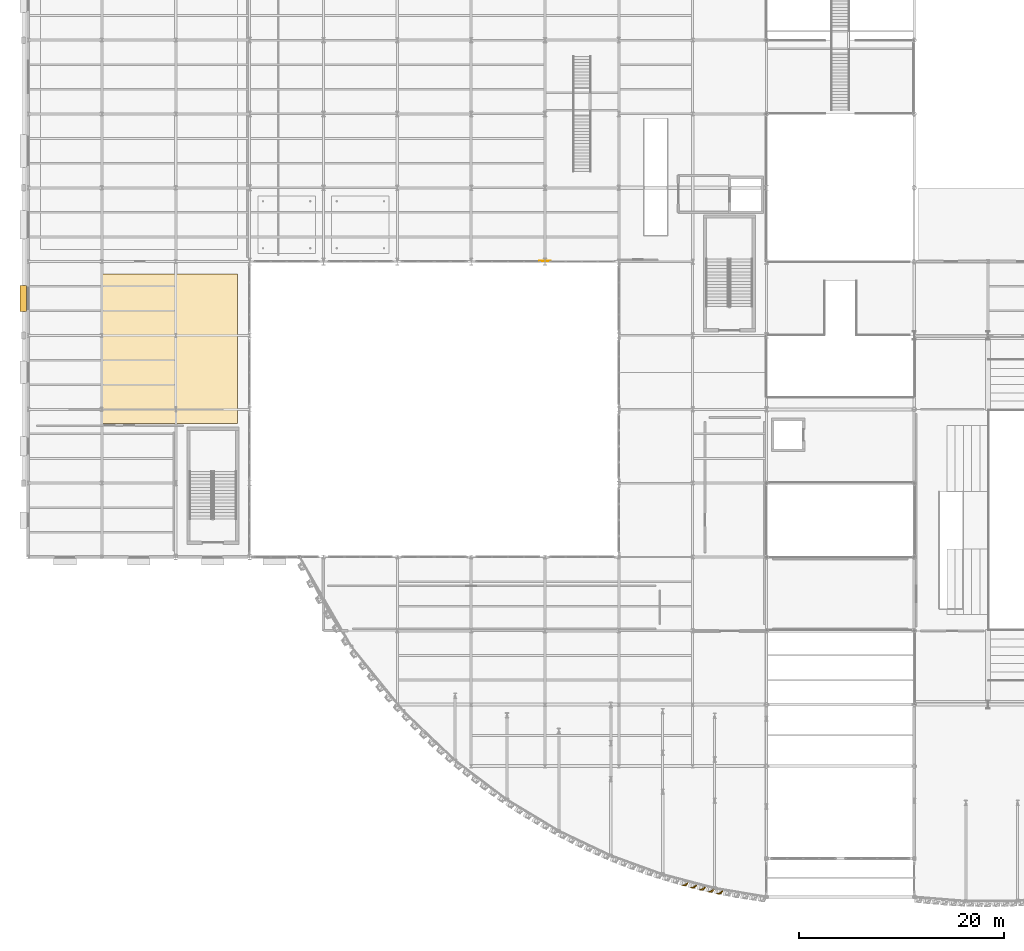
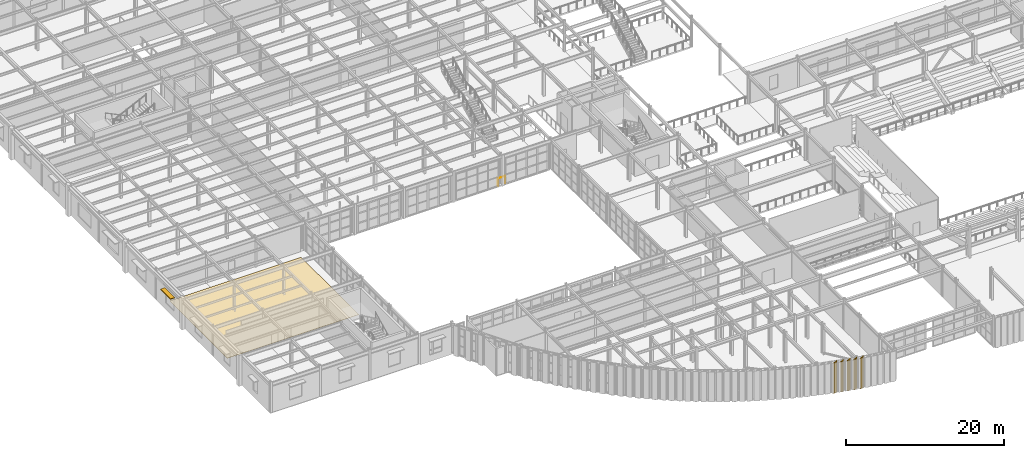
# One storey, part 109 of 121: 6 coverings, 1 railing, 1 shading device.
"""IFC4 building model written with IfcOpenShell, lengths in metres."""

from ifc_helpers import new_model, si_unit, direction, frame, origin, origin_2d, place, context, subcontext, project, spatial, polyline, rectangle, circle, outline, extrude, material, layer, layer_set, type_object, element, save


model = new_model("IFC4")

# Units and contexts
model_context = context("Model", 3, precision=1e-05, world=origin(), true_north=direction((0.0, 1.0)))
body_context = subcontext(model_context, "Body", "Model", "MODEL_VIEW")
ifc_project = project(units=[si_unit("LENGTHUNIT", "METRE"), si_unit("AREAUNIT", "SQUARE_METRE"), si_unit("VOLUMEUNIT", "CUBIC_METRE"), si_unit("PLANEANGLEUNIT", "RADIAN"), si_unit("MASSUNIT", "GRAM", prefix="KILO")], contexts=[model_context])

# Site, building, storey
site_placement = place(None, origin())
site = spatial("IfcSite", under=ifc_project, at=site_placement, CompositionType="ELEMENT")
building_placement = place(site_placement, origin())
building = spatial("IfcBuilding", under=site, at=building_placement, Name="Solvadek Multi-Sports Hall", CompositionType="ELEMENT")
storey_placement = place(building_placement, frame((0.0, 0.0, 4.800048828125)))
storey = spatial("IfcBuildingStorey", under=building, at=storey_placement, Name="L01", CompositionType="ELEMENT", Elevation=4.800048828125)

# Coverings
ifc_material_1 = material(Name="Perforated champagne-bronze anodised aluminium", Category="aluminium")
ifc_layer_1 = layer(ifc_material_1, 0.06494140625, Name="Perforated champagne-bronze anodised aluminium")
ifc_layer_set_1 = layer_set([ifc_layer_1], Name="Perforated champagne-bronze anodised aluminium")
covering_type_1 = type_object("IfcCoveringType", Name="ENV-COV-FLUTED", PredefinedType="CLADDING", material=ifc_layer_set_1)
covering_1_placement = place(storey_placement, frame((0.0, 0.0, 0.010009765625)))
element("IfcCovering", 1, at=covering_1_placement, inside=storey, type_object=covering_type_1, Name="L01 Perforated Bronze Half-Cylinder Fluted Shell #89", PredefinedType="CLADDING", context=body_context, shape_type="SweptSolid", body=[
    extrude(outline(polyline([(64.3583984375, -11.37255859375), (64.28857421875, -11.516357421875), (64.168701171875, -11.622314453125), (64.017578125, -11.674560546875), (63.85791015625, -11.664794921875), (63.714111328125, -11.5947265625), (63.60791015625, -11.47509765625), (63.555908203125, -11.32373046875), (63.5654296875, -11.1640625), (63.62841796875, -11.1806640625), (63.52587890625, -11.31494140625), (63.489990234375, -11.4423828125), (63.52587890625, -11.54296875), (63.62841796875, -11.60205078125), (63.781494140625, -11.610107421875), (63.9619140625, -11.56640625), (64.142578125, -11.47705078125), (64.295654296875, -11.35595703125), (64.3583984375, -11.37255859375)])), origin(), (0.0, 0.0, 1.0), 4.77001953125),
])
covering_2_placement = place(storey_placement, frame((0.0, 0.0, 0.010009765625)))
element("IfcCovering", 2, at=covering_2_placement, inside=storey, type_object=covering_type_1, Name="L01 Perforated Bronze Half-Cylinder Fluted Shell #90", PredefinedType="CLADDING", context=body_context, shape_type="SweptSolid", body=[
    extrude(outline(polyline([(65.201904296875, -11.593994140625), (65.1318359375, -11.73779296875), (65.01220703125, -11.843994140625), (64.86083984375, -11.89599609375), (64.701171875, -11.886474609375), (64.557373046875, -11.81640625), (64.451416015625, -11.696533203125), (64.399169921875, -11.54541015625), (64.40869140625, -11.3857421875), (64.4716796875, -11.402099609375), (64.369384765625, -11.53662109375), (64.33349609375, -11.663818359375), (64.369384765625, -11.7646484375), (64.4716796875, -11.823486328125), (64.624755859375, -11.831787109375), (64.805419921875, -11.787841796875), (64.986083984375, -11.698486328125), (65.13916015625, -11.57763671875), (65.201904296875, -11.593994140625)])), origin(), (0.0, 0.0, 1.0), 4.77001953125),
])
covering_3_placement = place(storey_placement, frame((0.0, 0.0, 0.010009765625)))
element("IfcCovering", 3, at=covering_3_placement, inside=storey, type_object=covering_type_1, Name="L01 Perforated Bronze Half-Cylinder Fluted Shell #93", PredefinedType="CLADDING", context=body_context, shape_type="SweptSolid", body=[
    extrude(outline(polyline([(66.05126953125, -11.791259765625), (65.9853515625, -11.93701171875), (65.868896484375, -12.046630859375), (65.71923828125, -12.103271484375), (65.559326171875, -12.098388671875), (65.41357421875, -12.03271484375), (65.303955078125, -11.916015625), (65.247314453125, -11.7666015625), (65.252197265625, -11.606689453125), (65.315673828125, -11.62109375), (65.21240234375, -11.755859375), (65.17626953125, -11.881591796875), (65.21240234375, -11.979736328125), (65.315673828125, -12.034912109375), (65.4697265625, -12.039306640625), (65.651611328125, -11.991455078125), (65.83349609375, -11.8994140625), (65.98779296875, -11.776611328125), (66.05126953125, -11.791259765625)])), origin(), (0.0, 0.0, 1.0), 4.77001953125),
])
covering_4_placement = place(storey_placement, frame((0.0, 0.0, 0.010009765625)))
element("IfcCovering", 4, at=covering_4_placement, inside=storey, type_object=covering_type_1, Name="L01 Perforated Bronze Half-Cylinder Fluted Shell #94", PredefinedType="CLADDING", context=body_context, shape_type="SweptSolid", body=[
    extrude(outline(polyline([(66.89453125, -11.986083984375), (66.828857421875, -12.132080078125), (66.71240234375, -12.24169921875), (66.562744140625, -12.29833984375), (66.40283203125, -12.293212890625), (66.257080078125, -12.2275390625), (66.1474609375, -12.111083984375), (66.0908203125, -11.96142578125), (66.095703125, -11.801513671875), (66.158935546875, -11.816162109375), (66.055908203125, -11.95068359375), (66.019775390625, -12.07666015625), (66.055908203125, -12.1748046875), (66.158935546875, -12.22998046875), (66.313232421875, -12.234130859375), (66.4951171875, -12.1865234375), (66.677001953125, -12.09423828125), (66.831298828125, -11.971435546875), (66.89453125, -11.986083984375)])), origin(), (0.0, 0.0, 1.0), 4.77001953125),
])
covering_5_placement = place(storey_placement, frame((0.0, 0.0, 0.010009765625)))
element("IfcCovering", 5, at=covering_5_placement, inside=storey, type_object=covering_type_1, Name="L01 Perforated Bronze Half-Cylinder Fluted Shell #97", PredefinedType="CLADDING", context=body_context, shape_type="SweptSolid", body=[
    extrude(outline(polyline([(67.743408203125, -12.15673828125), (67.68212890625, -12.304443359375), (67.56884765625, -12.41748046875), (67.4208984375, -12.478515625), (67.260986328125, -12.478515625), (67.11328125, -12.4169921875), (67.00048828125, -12.3037109375), (66.939208984375, -12.156005859375), (66.939453125, -11.995849609375), (67.003173828125, -12.008544921875), (66.8994140625, -12.143310546875), (66.863037109375, -12.267578125), (66.8994140625, -12.363037109375), (67.003173828125, -12.41455078125), (67.158447265625, -12.414794921875), (67.341552734375, -12.36328125), (67.524658203125, -12.268310546875), (67.6796875, -12.14404296875), (67.743408203125, -12.15673828125)])), origin(), (0.0, 0.0, 1.0), 4.77001953125),
])

# Shading device
shading_device_type = type_object("IfcShadingDeviceType", Name="ENV-SHD-CHAJJA1", PredefinedType="JALOUSIE", material=ifc_material_1)
shading_device_placement = place(storey_placement, frame((-0.469482421875, 45.60009765625, 3.119873046875), z_axis=(0.0, 0.0, 1.0), x_axis=(0.0, 1.0, 0.0)))
element("IfcShadingDevice", 6, at=shading_device_placement, inside=storey, type_object=shading_device_type, Name="L01 Chajja Solar Shading Hood #9", PredefinedType="JALOUSIE", context=body_context, shape_type="SweptSolid", body=[
    extrude(rectangle(XDim=2.5, YDim=0.639892578125, at=origin_2d()), origin(), (0.0, 0.0, 1.0), 0.1201171875),
])

# Covering
ifc_material_2 = material(Name="Sprung maple sports flooring")
ifc_layer_2 = layer(ifc_material_2, 0.034912109375, Name="Sprung maple sports flooring")
ifc_layer_set_2 = layer_set([ifc_layer_2], Name="Sprung maple sports flooring")
covering_type_2 = type_object("IfcCoveringType", Name="INT-COV-MAPLE", PredefinedType="FLOORING", material=ifc_layer_set_2)
covering_6_placement = place(storey_placement, origin())
element("IfcCovering", 7, at=covering_6_placement, inside=storey, type_object=covering_type_2, Name="Aerobics Studio Sprung Hardwood Floor", PredefinedType="FLOORING", context=body_context, shape_type="SweptSolid", body=[
    extrude(outline(polyline([(1.199951171875, 33.39990234375), (20.39990234375, 33.39990234375), (20.39990234375, 48.0), (1.199951171875, 48.0), (1.199951171875, 33.39990234375)])), origin(), (0.0, 0.0, 1.0), 0.034912109375),
])

# Railing
ifc_material_3 = material(Name="Steel E250 (250 MPa)", Category="steel")
railing_type = type_object("IfcRailingType", Name="INT-RAL-GRD115", PredefinedType="BALUSTRADE", material=ifc_material_3)
railing_placement = place(storey_placement, frame((49.8798828125, 49.260009765625, 0.0)))
element("IfcRailing", 8, at=railing_placement, inside=storey, type_object=railing_type, Name="L01 Void Edge Balustrade Guard #65", PredefinedType="BALUSTRADE", context=body_context, shape_type="SweptSolid", body=[
    extrude(circle(Radius=0.02392578125, at=origin_2d()), frame((0.0, 0.0, 1.1259765625), z_axis=(1.0, 0.0, 0.0), x_axis=(0.0, 1.0, 0.0)), (0.0, 0.0, 1.0), 1.0400390625),
    extrude(circle(Radius=0.02099609375, at=origin_2d()), origin(), (0.0, 0.0, 1.0), 1.101806640625),
    extrude(circle(Radius=0.02099609375, at=origin_2d()), frame((1.0400390625, 0.0, 0.0)), (0.0, 0.0, 1.0), 1.101806640625),
])

save(model, "model.ifc")
